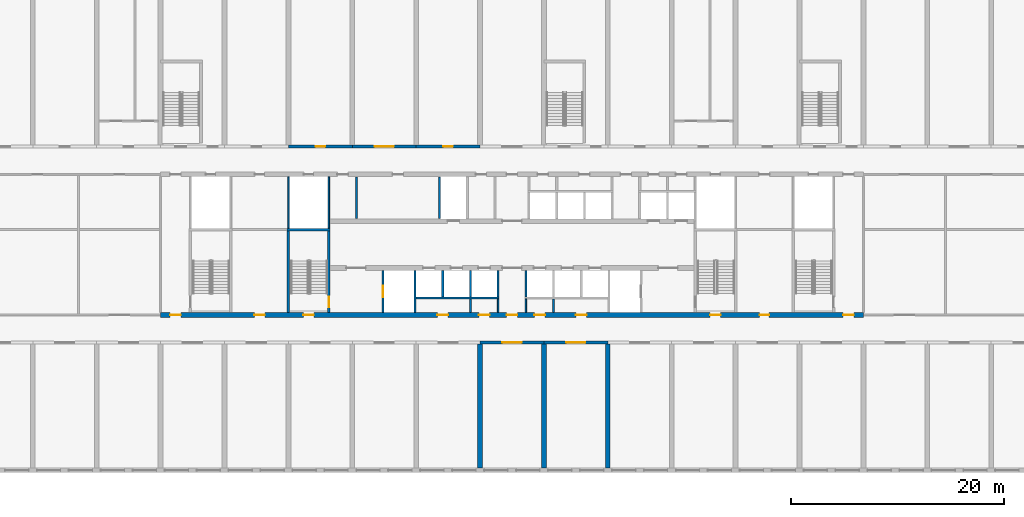
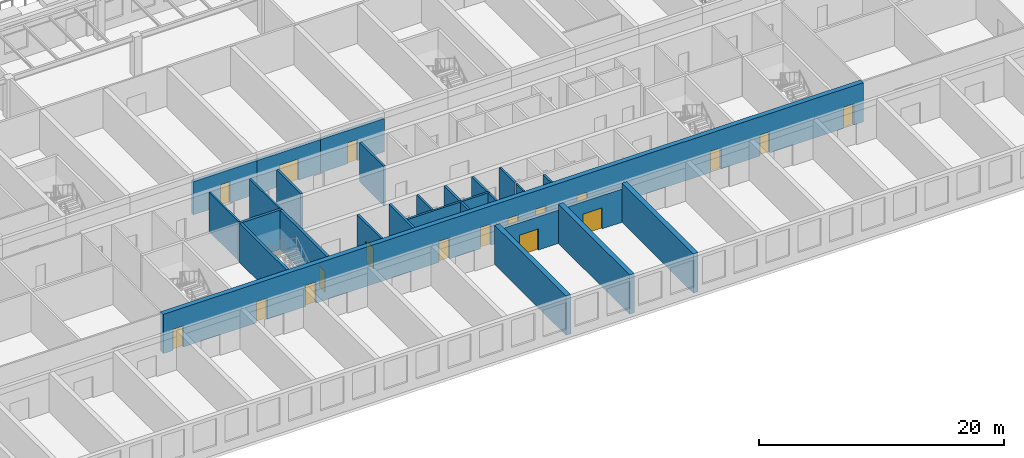
# One storey, part 5 of 16: 27 walls, 18 doors, 18 openings.
"""IFC4 building model written with IfcOpenShell, lengths in metres."""

import ifcopenshell
import ifcopenshell.guid

model = None  # the IFC model being written
_history = None  # IfcOwnerHistory: only IFC2X3 demands one
_inside = {}  # id of a spatial element -> (the spatial element, [elements in it])
_under = {}  # id of a project, library or spatial element -> (it, [spatial elements below it])
_declared = {}  # id of a project -> (the project, [libraries it declares])
_typed = {}  # id of a type object -> (the type object, [elements of that type])
_made_of = {}  # id of a material, layer set ... -> (it, [elements and type objects made of it])


def new_model(schema):
    """Start an empty IFC model of exactly this schema.

    Asked for "IFC4X3", IfcOpenShell would pick the latest addendum, in which some entities
    have other attributes; the version numbers below select the first issue.
    IFC2X3 requires an IfcOwnerHistory on every rooted entity: one is made here for all.
    """
    global model, _history
    if schema == "IFC4X3":
        model = ifcopenshell.file(schema_version=(4, 3, 0, 0))
    else:
        model = ifcopenshell.file(schema=schema)
    _inside.clear()
    _under.clear()
    _declared.clear()
    _typed.clear()
    _made_of.clear()
    _history = None
    if model.schema == "IFC2X3":
        org = make("IfcOrganization", Name="unknown")
        user = make(
            "IfcPersonAndOrganization",
            ThePerson=make("IfcPerson", FamilyName="unknown"),
            TheOrganization=org,
        )
        app = make(
            "IfcApplication",
            ApplicationDeveloper=org,
            Version="unknown",
            ApplicationFullName="unknown",
            ApplicationIdentifier="unknown",
        )
        _history = make(
            "IfcOwnerHistory",
            OwningUser=user,
            OwningApplication=app,
            ChangeAction="ADDED",
            CreationDate=0,
        )
    return model


def make(cls, **values):
    """One entity of the class cls with the attributes given. An attribute that is None is left unset."""
    return model.create_entity(
        cls, **{name: value for name, value in values.items() if value is not None}
    )


def rooted(cls, **values):
    """An entity with a GlobalId (a new one), such as an element, a storey or a relation."""
    return make(cls, GlobalId=ifcopenshell.guid.new(), OwnerHistory=_history, **values)


def si_unit(unit_type, name, prefix=None):
    """IfcSIUnit, for example si_unit("LENGTHUNIT", "METRE", prefix="MILLI")."""
    return make("IfcSIUnit", UnitType=unit_type, Prefix=prefix, Name=name)


def assignment(units):
    """IfcUnitAssignment: the units of a project."""
    return None if units is None else make("IfcUnitAssignment", Units=units)


def point(xyz):
    """IfcCartesianPoint."""
    return None if xyz is None else make("IfcCartesianPoint", Coordinates=xyz)


def direction(xyz):
    """IfcDirection."""
    return None if xyz is None else make("IfcDirection", DirectionRatios=xyz)


def frame(location, z_axis=None, x_axis=None):
    """IfcAxis2Placement3D, a coordinate frame: its origin and axes. An axis left out is left unset."""
    return make(
        "IfcAxis2Placement3D",
        Location=point(location),
        Axis=direction(z_axis),
        RefDirection=direction(x_axis),
    )


def frame_2d(location, x_axis=None):
    """IfcAxis2Placement2D, a coordinate frame in the plane: its origin and x axis."""
    return make(
        "IfcAxis2Placement2D", Location=point(location), RefDirection=direction(x_axis)
    )


def origin():
    """The frame at (0, 0, 0) with its axes left unset."""
    return frame((0.0, 0.0, 0.0))


def place(relative_to, where):
    """IfcLocalPlacement: puts the frame where relative to a parent placement (None: the world)."""
    return make(
        "IfcLocalPlacement", PlacementRelTo=relative_to, RelativePlacement=where
    )


def context(
    kind, dimensions, precision=None, world=None, true_north=None, identifier=None
):
    """IfcGeometricRepresentationContext, for example the 3D "Model" context."""
    return make(
        "IfcGeometricRepresentationContext",
        ContextIdentifier=identifier,
        ContextType=kind,
        CoordinateSpaceDimension=dimensions,
        Precision=precision,
        WorldCoordinateSystem=world,
        TrueNorth=true_north,
    )


def subcontext(parent, identifier, kind, view, scale=None):
    """IfcGeometricRepresentationSubContext, for example "Body" below "Model"."""
    return make(
        "IfcGeometricRepresentationSubContext",
        ContextIdentifier=identifier,
        ContextType=kind,
        ParentContext=parent,
        TargetScale=scale,
        TargetView=view,
    )


def project(units=None, contexts=None):
    """IfcProject with its units and contexts."""
    return rooted(
        "IfcProject",
        Name="project",
        RepresentationContexts=contexts,
        UnitsInContext=assignment(units),
    )


def spatial(cls, under=None, at=None, **own):
    """A site, building, storey or space (cls), placed at a placement, below another one or the project."""
    s = rooted(cls, ObjectPlacement=at, **own)
    if under is not None:
        _under.setdefault(under.id(), (under, []))[1].append(s)
    return s


def profile(cls, at=None, kind="AREA", **sizes):
    """A parametric profile (cls). Its sizes go by their IFC names, for example OverallWidth=200.0."""
    return make(cls, ProfileType=kind, Position=at, **sizes)


def rectangle(**sizes):
    """IfcRectangleProfileDef."""
    return profile("IfcRectangleProfileDef", **sizes)


def extrude(swept, where, along, depth):
    """IfcExtrudedAreaSolid: the profile swept, set in the frame where, extruded along a direction by depth."""
    return make(
        "IfcExtrudedAreaSolid",
        SweptArea=swept,
        Position=where,
        ExtrudedDirection=direction(along),
        Depth=depth,
    )


def shape(context_of_items, identifier, shape_type, items):
    """IfcShapeRepresentation: the items that make up one representation, for example the "Body"."""
    return make(
        "IfcShapeRepresentation",
        ContextOfItems=context_of_items,
        RepresentationIdentifier=identifier,
        RepresentationType=shape_type,
        Items=items,
    )


def material(Name=None, Category=None):
    """IfcMaterial."""
    return make("IfcMaterial", Name=Name, Category=Category)


def layer(
    of_material, thickness, ventilated=None, Name=None, Category=None, Priority=None
):
    """IfcMaterialLayer: one layer of a wall or slab, of a material (None: an air gap)."""
    return make(
        "IfcMaterialLayer",
        Material=of_material,
        LayerThickness=thickness,
        IsVentilated=ventilated,
        Name=Name,
        Category=Category,
        Priority=Priority,
    )


def layer_set(layers, Name=None):
    """IfcMaterialLayerSet."""
    return make("IfcMaterialLayerSet", MaterialLayers=layers, LayerSetName=Name)


def made_of(thing, what):
    """Note that an element or type object is made of a material, layer set ...; save() writes the relation."""
    if what is not None:
        _made_of.setdefault(what.id(), (what, []))[1].append(thing)
    return thing


def type_object(cls, material=None, **own):
    """A type object (cls), such as IfcWallType, which elements share."""
    return made_of(rooted(cls, **own), material)


def element(
    cls,
    number,
    at=None,
    inside=None,
    cuts=None,
    type_object=None,
    material=None,
    context=None,
    identifier="Body",
    shape_type=None,
    held_by="IfcProductDefinitionShape",
    body=None,
    shapes=None,
    **own,
):
    """One element of the class cls, such as IfcWall. Its Tag is "e" and its number.

    at: its placement. inside: the storey or other place that contains it. cuts: it is an
    opening in that element (IfcRelVoidsElement). A single representation is given by context,
    identifier, shape_type and body (its items); several are given by shapes. held_by: the class
    of the entity that holds the representations. save() writes the other relations.
    """
    e = rooted(cls, Tag="e%d" % number, ObjectPlacement=at, **own)
    if body is not None:
        shapes = [shape(context, identifier, shape_type, body)]
    if shapes is not None:
        e.Representation = make(held_by, Representations=shapes)
    if inside is not None:
        _inside.setdefault(inside.id(), (inside, []))[1].append(e)
    if cuts is not None:
        rooted(
            "IfcRelVoidsElement", RelatingBuildingElement=cuts, RelatedOpeningElement=e
        )
    if type_object is not None:
        _typed.setdefault(type_object.id(), (type_object, []))[1].append(e)
    return made_of(e, material)


def fill(opening, filler):
    """IfcRelFillsElement: the door or window that sits in an opening."""
    return rooted(
        "IfcRelFillsElement",
        RelatingOpeningElement=opening,
        RelatedBuildingElement=filler,
    )


def aggregate(whole, parts):
    """IfcRelAggregates: a whole, such as a stair, and the parts it consists of."""
    return rooted("IfcRelAggregates", RelatingObject=whole, RelatedObjects=parts)


def save(model, path):
    """Write the relations noted so far, then the file.

    IfcRelAggregates (storeys below a building ...), IfcRelContainedInSpatialStructure (elements
    in a storey), IfcRelDefinesByType, IfcRelAssociatesMaterial and IfcRelDeclares: one each for
    every whole, place, type object, material and project.
    """
    for whole, parts in _under.values():
        aggregate(whole, parts)
    for where, things in _inside.values():
        rooted(
            "IfcRelContainedInSpatialStructure",
            RelatedElements=things,
            RelatingStructure=where,
        )
    for kind, things in _typed.values():
        rooted("IfcRelDefinesByType", RelatedObjects=things, RelatingType=kind)
    for what, things in _made_of.values():
        rooted("IfcRelAssociatesMaterial", RelatedObjects=things, RelatingMaterial=what)
    for by, libraries in _declared.values():
        rooted("IfcRelDeclares", RelatingContext=by, RelatedDefinitions=libraries)
    model.write(path)


model = new_model("IFC4")

# Units and contexts
model_context = context("Model", 3, precision=1e-05, world=origin(), true_north=direction((0.0, 1.0)))
body_context = subcontext(model_context, "Body", "Model", "MODEL_VIEW")
ifc_project = project(units=[si_unit("LENGTHUNIT", "METRE"), si_unit("AREAUNIT", "SQUARE_METRE"), si_unit("VOLUMEUNIT", "CUBIC_METRE"), si_unit("PLANEANGLEUNIT", "RADIAN"), si_unit("MASSUNIT", "GRAM", prefix="KILO")], contexts=[model_context])

# Site, building, storey
site_placement = place(None, origin())
site = spatial("IfcSite", under=ifc_project, at=site_placement, CompositionType="ELEMENT")
building_placement = place(site_placement, origin())
building = spatial("IfcBuilding", under=site, at=building_placement, Name="Poui Terraces", CompositionType="ELEMENT")
storey_placement = place(building_placement, frame((0.0, 0.0, 15.0)))
storey = spatial("IfcBuildingStorey", under=building, at=storey_placement, Name="L03", CompositionType="ELEMENT", Elevation=15.0)

# Walls
ifc_material_1 = material(Name="Fire-rated plasterboard wall")
ifc_layer_1 = layer(ifc_material_1, 0.14990234375)
ifc_layer_set_1 = layer_set([ifc_layer_1], Name="Fire-rated plasterboard wall")
wall_type_1 = type_object("IfcWallType", Name="CORRIDOR WALL 150", PredefinedType="PARTITIONING", material=ifc_layer_set_1)
for number, where, z_axis, x_axis, name in (
    (1, (49.699951171875, 14.8349609375, 0.0), (0.0, 0.0, 1.0), (0.0, 1.0, 0.0), "CORRIDOR WALL 150"),
    (2, (52.300048828125, 14.8349609375, 0.0), (0.0, 0.0, 1.0), (0.0, 1.0, 0.0), "CORRIDOR WALL 150"),
):
    element("IfcWall", number, at=place(storey_placement, frame(where, z_axis=z_axis, x_axis=x_axis)), inside=storey, type_object=wall_type_1, Name=name, PredefinedType="PARTITIONING", context=body_context, shape_type="SweptSolid", body=[
        extrude(rectangle(XDim=1.26513671875, YDim=0.14990234375, at=frame_2d((0.632568359375, 0.0))), origin(), (0.0, 0.0, 1.0), 3.919921875),
    ])

# Wall, opening, door
ifc_material_2 = material(Name="Concrete 80 MPa", Category="concrete")
ifc_layer_2 = layer(ifc_material_2, 0.300048828125)
ifc_layer_set_2 = layer_set([ifc_layer_2], Name="Concrete 80 MPa")
wall_type_2 = type_object("IfcWallType", Name="CORRIDOR WALL 300 80MPa", PredefinedType="SHEAR", material=ifc_layer_set_2)
wall_1_placement = place(storey_placement, frame((48.0, 12.0, 0.0), z_axis=(0.0, 0.0, 1.0), x_axis=(1.0, 0.0, 0.0)))
wall_1 = element("IfcWall", 3, at=wall_1_placement, inside=storey, type_object=wall_type_2, Name="CORRIDOR WALL LINE B BAY 9", PredefinedType="SHEAR", context=body_context, shape_type="SweptSolid", body=[
    extrude(rectangle(XDim=6.0, YDim=0.300048828125, at=frame_2d((3.0, 0.0))), origin(), (0.0, 0.0, 1.0), 3.320068359375),
])
opening_1_placement = place(wall_1_placement, frame((2.10009765625, 0.0, 0.0)))
opening_1 = element("IfcOpeningElement", 4, at=opening_1_placement, cuts=wall_1, Name="Opening DD180", PredefinedType="OPENING", context=body_context, shape_type="SweptSolid", body=[
    extrude(rectangle(XDim=1.800048828125, YDim=2.10009765625, at=frame_2d((0.89990234375, 1.050048828125))), frame((0.0, 0.16015625, 0.0), z_axis=(0.0, -1.0, 0.0), x_axis=(1.0, 0.0, 0.0)), (0.0, 0.0, 1.0), 0.320068359375),
])
ifc_material_3 = material(Name="Steel fire door", Category="steel")
door_type_1 = type_object("IfcDoorType", Name="DOUBLE INTERNAL DOOR 1800 X 2100", OperationType="DOUBLE_DOOR_SINGLE_SWING", PredefinedType="DOOR", material=ifc_material_3)
door_1_placement = place(opening_1_placement, origin())
door_1 = element("IfcDoor", 5, at=door_1_placement, inside=storey, type_object=door_type_1, Name="DOUBLE INTERNAL DOOR 057", OperationType="DOUBLE_DOOR_SINGLE_SWING", OverallHeight=2.10009765625, OverallWidth=1.800048828125, PredefinedType="DOOR", context=body_context, shape_type="SweptSolid", body=[
    extrude(rectangle(XDim=1.800048828125, YDim=2.10009765625, at=frame_2d((0.89990234375, 1.050048828125))), frame((0.0, 0.02490234375, 0.0), z_axis=(0.0, -1.0, 0.0), x_axis=(1.0, 0.0, 0.0)), (0.0, 0.0, 1.0), 0.050048828125),
])
fill(opening_1, door_1)

wall_2_placement = place(storey_placement, frame((54.0, 12.0, 0.0), z_axis=(0.0, 0.0, 1.0), x_axis=(1.0, 0.0, 0.0)))
wall_2 = element("IfcWall", 6, at=wall_2_placement, inside=storey, type_object=wall_type_2, Name="CORRIDOR WALL LINE B BAY 10", PredefinedType="SHEAR", context=body_context, shape_type="SweptSolid", body=[
    extrude(rectangle(XDim=6.0, YDim=0.300048828125, at=frame_2d((3.0, 0.0))), origin(), (0.0, 0.0, 1.0), 3.320068359375),
])
opening_2_placement = place(wall_2_placement, frame((2.10009765625, 0.0, 0.0)))
opening_2 = element("IfcOpeningElement", 7, at=opening_2_placement, cuts=wall_2, Name="Opening DD180", PredefinedType="OPENING", context=body_context, shape_type="SweptSolid", body=[
    extrude(rectangle(XDim=1.800048828125, YDim=2.10009765625, at=frame_2d((0.89990234375, 1.050048828125))), frame((0.0, 0.16015625, 0.0), z_axis=(0.0, -1.0, 0.0), x_axis=(1.0, 0.0, 0.0)), (0.0, 0.0, 1.0), 0.320068359375),
])
door_2_placement = place(opening_2_placement, origin())
door_2 = element("IfcDoor", 8, at=door_2_placement, inside=storey, type_object=door_type_1, Name="DOUBLE INTERNAL DOOR 060", OperationType="DOUBLE_DOOR_SINGLE_SWING", OverallHeight=2.10009765625, OverallWidth=1.800048828125, PredefinedType="DOOR", context=body_context, shape_type="SweptSolid", body=[
    extrude(rectangle(XDim=1.800048828125, YDim=2.10009765625, at=frame_2d((0.89990234375, 1.050048828125))), frame((0.0, 0.02490234375, 0.0), z_axis=(0.0, -1.0, 0.0), x_axis=(1.0, 0.0, 0.0)), (0.0, 0.0, 1.0), 0.050048828125),
])
fill(opening_2, door_2)

wall_3_placement = place(storey_placement, frame((30.0, 30.39990234375, 0.0), z_axis=(0.0, 0.0, 1.0), x_axis=(1.0, 0.0, 0.0)))
wall_3 = element("IfcWall", 9, at=wall_3_placement, inside=storey, type_object=wall_type_2, Name="CORRIDOR WALL LINE E BAY 6", PredefinedType="SHEAR", context=body_context, shape_type="SweptSolid", body=[
    extrude(rectangle(XDim=6.0, YDim=0.300048828125, at=frame_2d((3.0, 0.0))), origin(), (0.0, 0.0, 1.0), 3.320068359375),
])
opening_3_placement = place(wall_3_placement, frame((2.550048828125, 0.0, 0.0)))
opening_3 = element("IfcOpeningElement", 10, at=opening_3_placement, cuts=wall_3, Name="Opening D90", PredefinedType="OPENING", context=body_context, shape_type="SweptSolid", body=[
    extrude(rectangle(XDim=0.89990234375, YDim=2.10009765625, at=frame_2d((0.449951171875, 1.050048828125))), frame((0.0, 0.16015625, 0.0), z_axis=(0.0, -1.0, 0.0), x_axis=(1.0, 0.0, 0.0)), (0.0, 0.0, 1.0), 0.320068359375),
])
ifc_material_4 = material(Name="Solid core timber door", Category="wood")
door_type_2 = type_object("IfcDoorType", Name="INTERNAL DOOR 900 X 2100", OperationType="NOTDEFINED", PredefinedType="DOOR", material=ifc_material_4)
door_3_placement = place(opening_3_placement, frame((0.89990234375, 0.0, 0.0), z_axis=(0.0, 0.0, 1.0), x_axis=(-1.0, 0.0, 0.0)))
door_3 = element("IfcDoor", 11, at=door_3_placement, inside=storey, type_object=door_type_2, Name="INTERNAL DOOR 014", OperationType="SINGLE_SWING_RIGHT", OverallHeight=2.10009765625, OverallWidth=0.89990234375, PredefinedType="DOOR", context=body_context, shape_type="SweptSolid", body=[
    extrude(rectangle(XDim=0.89990234375, YDim=2.10009765625, at=frame_2d((0.449951171875, 1.050048828125))), frame((0.0, 0.02490234375, 0.0), z_axis=(0.0, -1.0, 0.0), x_axis=(1.0, 0.0, 0.0)), (0.0, 0.0, 1.0), 0.050048828125),
])
fill(opening_3, door_3)

wall_4_placement = place(storey_placement, frame((36.0, 30.39990234375, 0.0), z_axis=(0.0, 0.0, 1.0), x_axis=(1.0, 0.0, 0.0)))
wall_4 = element("IfcWall", 12, at=wall_4_placement, inside=storey, type_object=wall_type_2, Name="CORRIDOR WALL LINE E BAY 7", PredefinedType="SHEAR", context=body_context, shape_type="SweptSolid", body=[
    extrude(rectangle(XDim=6.0, YDim=0.300048828125, at=frame_2d((3.0, 0.0))), origin(), (0.0, 0.0, 1.0), 3.320068359375),
])
opening_4_placement = place(wall_4_placement, frame((2.10009765625, 0.0, 0.0)))
opening_4 = element("IfcOpeningElement", 13, at=opening_4_placement, cuts=wall_4, Name="Opening DD180", PredefinedType="OPENING", context=body_context, shape_type="SweptSolid", body=[
    extrude(rectangle(XDim=1.800048828125, YDim=2.10009765625, at=frame_2d((0.89990234375, 1.050048828125))), frame((0.0, 0.16015625, 0.0), z_axis=(0.0, -1.0, 0.0), x_axis=(1.0, 0.0, 0.0)), (0.0, 0.0, 1.0), 0.320068359375),
])
door_4_placement = place(opening_4_placement, frame((1.800048828125, 0.0, 0.0), z_axis=(0.0, 0.0, 1.0), x_axis=(-1.0, 0.0, 0.0)))
door_4 = element("IfcDoor", 14, at=door_4_placement, inside=storey, type_object=door_type_1, Name="DOUBLE INTERNAL DOOR 016", OperationType="DOUBLE_DOOR_SINGLE_SWING", OverallHeight=2.10009765625, OverallWidth=1.800048828125, PredefinedType="DOOR", context=body_context, shape_type="SweptSolid", body=[
    extrude(rectangle(XDim=1.800048828125, YDim=2.10009765625, at=frame_2d((0.89990234375, 1.050048828125))), frame((0.0, 0.02490234375, 0.0), z_axis=(0.0, -1.0, 0.0), x_axis=(1.0, 0.0, 0.0)), (0.0, 0.0, 1.0), 0.050048828125),
])
fill(opening_4, door_4)

wall_5_placement = place(storey_placement, frame((42.0, 30.39990234375, 0.0), z_axis=(0.0, 0.0, 1.0), x_axis=(1.0, 0.0, 0.0)))
wall_5 = element("IfcWall", 15, at=wall_5_placement, inside=storey, type_object=wall_type_2, Name="CORRIDOR WALL LINE E BAY 8", PredefinedType="SHEAR", context=body_context, shape_type="SweptSolid", body=[
    extrude(rectangle(XDim=6.0, YDim=0.300048828125, at=frame_2d((3.0, 0.0))), origin(), (0.0, 0.0, 1.0), 3.320068359375),
])
opening_5_placement = place(wall_5_placement, frame((2.550048828125, 0.0, 0.0)))
opening_5 = element("IfcOpeningElement", 16, at=opening_5_placement, cuts=wall_5, Name="Opening D90", PredefinedType="OPENING", context=body_context, shape_type="SweptSolid", body=[
    extrude(rectangle(XDim=0.89990234375, YDim=2.10009765625, at=frame_2d((0.449951171875, 1.050048828125))), frame((0.0, 0.16015625, 0.0), z_axis=(0.0, -1.0, 0.0), x_axis=(1.0, 0.0, 0.0)), (0.0, 0.0, 1.0), 0.320068359375),
])
door_5_placement = place(opening_5_placement, frame((0.89990234375, 0.0, 0.0), z_axis=(0.0, 0.0, 1.0), x_axis=(-1.0, 0.0, 0.0)))
door_5 = element("IfcDoor", 17, at=door_5_placement, inside=storey, type_object=door_type_2, Name="INTERNAL DOOR 018", OperationType="SINGLE_SWING_RIGHT", OverallHeight=2.10009765625, OverallWidth=0.89990234375, PredefinedType="DOOR", context=body_context, shape_type="SweptSolid", body=[
    extrude(rectangle(XDim=0.89990234375, YDim=2.10009765625, at=frame_2d((0.449951171875, 1.050048828125))), frame((0.0, 0.02490234375, 0.0), z_axis=(0.0, -1.0, 0.0), x_axis=(1.0, 0.0, 0.0)), (0.0, 0.0, 1.0), 0.050048828125),
])
fill(opening_5, door_5)

# Walls
ifc_layer_3 = layer(ifc_material_2, 0.449951171875)
ifc_layer_set_3 = layer_set([ifc_layer_3], Name="Concrete 80 MPa")
wall_type_3 = type_object("IfcWallType", Name="CROSS WALL 450 80MPa", PredefinedType="SHEAR", material=ifc_layer_set_3)
for number, where, z_axis, x_axis, name in (
    (18, (48.0, 0.199951171875, 0.0), (0.0, 0.0, 1.0), (0.0, 1.0, 0.0), "CROSS WALL LINE 9 SOUTH"),
    (19, (54.0, 0.199951171875, 0.0), (0.0, 0.0, 1.0), (0.0, 1.0, 0.0), "CROSS WALL LINE 10 SOUTH"),
    (20, (60.0, 0.199951171875, 0.0), (0.0, 0.0, 1.0), (0.0, 1.0, 0.0), "CROSS WALL LINE 11 SOUTH"),
):
    element("IfcWall", number, at=place(storey_placement, frame(where, z_axis=z_axis, x_axis=x_axis)), inside=storey, type_object=wall_type_3, Name=name, PredefinedType="SHEAR", context=body_context, shape_type="SweptSolid", body=[
        extrude(rectangle(XDim=11.650146484375, YDim=0.449951171875, at=frame_2d((5.8251953125, 0.0))), origin(), (0.0, 0.0, 1.0), 3.919921875),
    ])
ifc_material_5 = material(Name="Fire-rated masonry wall", Category="masonry")
ifc_layer_4 = layer(ifc_material_5, 0.199951171875)
ifc_layer_set_4 = layer_set([ifc_layer_4], Name="Fire-rated masonry wall")
wall_type_4 = type_object("IfcWallType", Name="PLANT ROOM WALL 200", PredefinedType="PARTITIONING", material=ifc_layer_set_4)
wall_6_placement = place(storey_placement, frame((36.39990234375, 23.635009765625, 0.0), z_axis=(0.0, 0.0, 1.0), x_axis=(0.0, 1.0, 0.0)))
element("IfcWall", 21, at=wall_6_placement, inside=storey, type_object=wall_type_4, Name="PLANT ROOM WALL 200", PredefinedType="PARTITIONING", context=body_context, shape_type="SweptSolid", body=[
    extrude(rectangle(XDim=3.929931640625, YDim=0.199951171875, at=frame_2d((1.96484375, 0.0))), origin(), (0.0, 0.0, 1.0), 3.919921875),
])
for number, where, z_axis, x_axis, name in (
    (22, (47.10009765625, 14.8349609375, 0.0), (0.0, 0.0, 1.0), (0.0, 1.0, 0.0), "PLANT ROOM WALL 200"),
    (23, (54.89990234375, 14.8349609375, 0.0), (0.0, 0.0, 1.0), (0.0, 1.0, 0.0), "PLANT ROOM WALL 200"),
):
    element("IfcWall", number, at=place(storey_placement, frame(where, z_axis=z_axis, x_axis=x_axis)), inside=storey, type_object=wall_type_4, Name=name, PredefinedType="PARTITIONING", context=body_context, shape_type="SweptSolid", body=[
        extrude(rectangle(XDim=1.26513671875, YDim=0.199951171875, at=frame_2d((0.632568359375, 0.0))), origin(), (0.0, 0.0, 1.0), 3.919921875),
    ])
ifc_material_6 = material(Name="Fire-rated plasterboard riser wall")
ifc_layer_5 = layer(ifc_material_6, 0.14990234375)
ifc_layer_set_5 = layer_set([ifc_layer_5], Name="Fire-rated plasterboard riser wall")
wall_type_5 = type_object("IfcWallType", Name="RISER WALL 150", PredefinedType="PARTITIONING", material=ifc_layer_set_5)
for number, where, z_axis, x_axis, name in (
    (24, (30.0, 22.735107421875, 0.0), (0.0, 0.0, 1.0), (0.0, 1.0, 0.0), "RISER WALL 150"),
    (25, (33.800048828125, 22.735107421875, 0.0), (0.0, 0.0, 1.0), (0.0, 1.0, 0.0), "RISER WALL 150"),
):
    element("IfcWall", number, at=place(storey_placement, frame(where, z_axis=z_axis, x_axis=x_axis)), inside=storey, type_object=wall_type_5, Name=name, PredefinedType="PARTITIONING", context=body_context, shape_type="SweptSolid", body=[
        extrude(rectangle(XDim=4.829833984375, YDim=0.14990234375, at=frame_2d((2.4150390625, 0.0))), origin(), (0.0, 0.0, 1.0), 3.919921875),
    ])
ifc_material_7 = material(Name="Fire-rated masonry shaft wall", Category="masonry")
ifc_layer_6 = layer(ifc_material_7, 0.199951171875)
ifc_layer_set_6 = layer_set([ifc_layer_6], Name="Fire-rated masonry shaft wall")
wall_type_6 = type_object("IfcWallType", Name="SHAFT WALL 200", PredefinedType="PARTITIONING", material=ifc_layer_set_6)
wall_7_placement = place(storey_placement, frame((42.0, 16.199951171875, 0.0), z_axis=(0.0, 0.0, 1.0), x_axis=(1.0, 0.0, 0.0)))
element("IfcWall", 26, at=wall_7_placement, inside=storey, type_object=wall_type_6, Name="SHAFT WALL 200", PredefinedType="PARTITIONING", context=body_context, shape_type="SweptSolid", body=[
    extrude(rectangle(XDim=7.800048828125, YDim=0.199951171875, at=frame_2d((3.89990234375, 0.0))), origin(), (0.0, 0.0, 1.0), 3.919921875),
])

# Wall, opening, door
wall_8_placement = place(storey_placement, frame((38.89990234375, 14.8349609375, 0.0), z_axis=(0.0, 0.0, 1.0), x_axis=(0.0, 1.0, 0.0)))
wall_8 = element("IfcWall", 27, at=wall_8_placement, inside=storey, type_object=wall_type_6, Name="SHAFT WALL 200", PredefinedType="PARTITIONING", context=body_context, shape_type="SweptSolid", body=[
    extrude(rectangle(XDim=3.929931640625, YDim=0.199951171875, at=frame_2d((1.96484375, 0.0))), origin(), (0.0, 0.0, 1.0), 3.919921875),
])
opening_6_placement = place(wall_8_placement, frame((1.4150390625, 0.0, 0.0)))
opening_6 = element("IfcOpeningElement", 28, at=opening_6_placement, cuts=wall_8, Name="Opening LD", PredefinedType="OPENING", context=body_context, shape_type="SweptSolid", body=[
    extrude(rectangle(XDim=1.10009765625, YDim=2.10009765625, at=frame_2d((0.550048828125, 1.050048828125))), frame((0.0, 0.10986328125, 0.0), z_axis=(0.0, -1.0, 0.0), x_axis=(1.0, 0.0, 0.0)), (0.0, 0.0, 1.0), 0.219970703125),
])
ifc_material_8 = material(Name="Stainless steel sliding door", Category="steel")
door_type_3 = type_object("IfcDoorType", Name="LIFT LANDING DOOR 1100 X 2100", OperationType="DOUBLE_DOOR_SLIDING", PredefinedType="DOOR", material=ifc_material_8)
door_6_placement = place(opening_6_placement, origin())
door_6 = element("IfcDoor", 29, at=door_6_placement, inside=storey, type_object=door_type_3, Name="LANDING DOOR", OperationType="DOUBLE_DOOR_SLIDING", OverallHeight=2.10009765625, OverallWidth=1.10009765625, PredefinedType="DOOR", context=body_context, shape_type="SweptSolid", body=[
    extrude(rectangle(XDim=1.10009765625, YDim=2.10009765625, at=frame_2d((0.550048828125, 1.050048828125))), frame((0.0, 0.02490234375, 0.0), z_axis=(0.0, -1.0, 0.0), x_axis=(1.0, 0.0, 0.0)), (0.0, 0.0, 1.0), 0.050048828125),
])
fill(opening_6, door_6)

# Walls
for number, where, z_axis, x_axis, name in (
    (30, (41.89990234375, 14.8349609375, 0.0), (0.0, 0.0, 1.0), (0.0, 1.0, 0.0), "SHAFT WALL 200"),
    (31, (44.199951171875, 23.635009765625, 0.0), (0.0, 0.0, 1.0), (0.0, 1.0, 0.0), "SHAFT WALL 200"),
):
    element("IfcWall", number, at=place(storey_placement, frame(where, z_axis=z_axis, x_axis=x_axis)), inside=storey, type_object=wall_type_6, Name=name, PredefinedType="PARTITIONING", context=body_context, shape_type="SweptSolid", body=[
        extrude(rectangle(XDim=3.929931640625, YDim=0.199951171875, at=frame_2d((1.96484375, 0.0))), origin(), (0.0, 0.0, 1.0), 3.919921875),
    ])
for number, where, z_axis, x_axis, name in (
    (32, (44.5, 16.300048828125, 0.0), (0.0, 0.0, 1.0), (0.0, 1.0, 0.0), "SHAFT WALL 200"),
    (33, (47.10009765625, 16.300048828125, 0.0), (0.0, 0.0, 1.0), (0.0, 1.0, 0.0), "SHAFT WALL 200"),
    (34, (49.699951171875, 16.300048828125, 0.0), (0.0, 0.0, 1.0), (0.0, 1.0, 0.0), "SHAFT WALL 200"),
    (35, (52.300048828125, 16.300048828125, 0.0), (0.0, 0.0, 1.0), (0.0, 1.0, 0.0), "SHAFT WALL 200"),
):
    element("IfcWall", number, at=place(storey_placement, frame(where, z_axis=z_axis, x_axis=x_axis)), inside=storey, type_object=wall_type_6, Name=name, PredefinedType="PARTITIONING", context=body_context, shape_type="SweptSolid", body=[
        extrude(rectangle(XDim=2.46484375, YDim=0.199951171875, at=frame_2d((1.232421875, 0.0))), origin(), (0.0, 0.0, 1.0), 3.919921875),
    ])

# Wall, openings, doors
ifc_layer_7 = layer(ifc_material_2, 0.449951171875)
ifc_layer_set_7 = layer_set([ifc_layer_7], Name="Concrete 80 MPa")
wall_type_7 = type_object("IfcWallType", Name="SPINE WALL 450 80 MPA", PredefinedType="SOLIDWALL", material=ifc_layer_set_7)
wall_9_placement = place(storey_placement, frame((18.0, 14.60009765625, 0.0), z_axis=(0.0, 0.0, 1.0), x_axis=(1.0, 0.0, 0.0)))
wall_9 = element("IfcWall", 36, at=wall_9_placement, inside=storey, type_object=wall_type_7, Name="SPINE WALL", PredefinedType="SOLIDWALL", context=body_context, shape_type="SweptSolid", body=[
    extrude(rectangle(XDim=66.0, YDim=0.449951171875, at=frame_2d((33.0, 0.0))), origin(), (0.0, 0.0, 1.0), 3.919921875),
])
opening_7_placement = place(wall_9_placement, frame((0.89990234375, 0.0, 0.0)))
opening_7 = element("IfcOpeningElement", 37, at=opening_7_placement, cuts=wall_9, Name="Opening FDL", PredefinedType="OPENING", context=body_context, shape_type="SweptSolid", body=[
    extrude(rectangle(XDim=1.0, YDim=2.10009765625, at=frame_2d((0.5, 1.050048828125))), frame((0.0, 0.23486328125, 0.0), z_axis=(0.0, -1.0, 0.0), x_axis=(1.0, 0.0, 0.0)), (0.0, 0.0, 1.0), 0.469970703125),
])
opening_8_placement = place(wall_9_placement, frame((8.800048828125, 0.0, 0.0)))
opening_8 = element("IfcOpeningElement", 38, at=opening_8_placement, cuts=wall_9, Name="Opening D100", PredefinedType="OPENING", context=body_context, shape_type="SweptSolid", body=[
    extrude(rectangle(XDim=1.0, YDim=2.10009765625, at=frame_2d((0.5, 1.050048828125))), frame((0.0, 0.23486328125, 0.0), z_axis=(0.0, -1.0, 0.0), x_axis=(1.0, 0.0, 0.0)), (0.0, 0.0, 1.0), 0.469970703125),
])
opening_9_placement = place(wall_9_placement, frame((13.39990234375, 0.0, 0.0)))
opening_9 = element("IfcOpeningElement", 39, at=opening_9_placement, cuts=wall_9, Name="Opening FD60S", PredefinedType="OPENING", context=body_context, shape_type="SweptSolid", body=[
    extrude(rectangle(XDim=1.0, YDim=2.10009765625, at=frame_2d((0.5, 1.050048828125))), frame((0.0, 0.23486328125, 0.0), z_axis=(0.0, -1.0, 0.0), x_axis=(1.0, 0.0, 0.0)), (0.0, 0.0, 1.0), 0.469970703125),
])
opening_10_placement = place(wall_9_placement, frame((26.0, 0.0, 0.0)))
opening_10 = element("IfcOpeningElement", 40, at=opening_10_placement, cuts=wall_9, Name="Opening FD60", PredefinedType="OPENING", context=body_context, shape_type="SweptSolid", body=[
    extrude(rectangle(XDim=1.0, YDim=2.10009765625, at=frame_2d((0.5, 1.050048828125))), frame((0.0, 0.23486328125, 0.0), z_axis=(0.0, -1.0, 0.0), x_axis=(1.0, 0.0, 0.0)), (0.0, 0.0, 1.0), 0.469970703125),
])
opening_11_placement = place(wall_9_placement, frame((29.89990234375, 0.0, 0.0)))
opening_11 = element("IfcOpeningElement", 41, at=opening_11_placement, cuts=wall_9, Name="Opening FD60", PredefinedType="OPENING", context=body_context, shape_type="SweptSolid", body=[
    extrude(rectangle(XDim=1.0, YDim=2.10009765625, at=frame_2d((0.5, 1.050048828125))), frame((0.0, 0.23486328125, 0.0), z_axis=(0.0, -1.0, 0.0), x_axis=(1.0, 0.0, 0.0)), (0.0, 0.0, 1.0), 0.469970703125),
])
opening_12_placement = place(wall_9_placement, frame((32.5, 0.0, 0.0)))
opening_12 = element("IfcOpeningElement", 42, at=opening_12_placement, cuts=wall_9, Name="Opening FDL", PredefinedType="OPENING", context=body_context, shape_type="SweptSolid", body=[
    extrude(rectangle(XDim=1.0, YDim=2.10009765625, at=frame_2d((0.5, 1.050048828125))), frame((0.0, 0.23486328125, 0.0), z_axis=(0.0, -1.0, 0.0), x_axis=(1.0, 0.0, 0.0)), (0.0, 0.0, 1.0), 0.469970703125),
])
opening_13_placement = place(wall_9_placement, frame((35.10009765625, 0.0, 0.0)))
opening_13 = element("IfcOpeningElement", 43, at=opening_13_placement, cuts=wall_9, Name="Opening FD60", PredefinedType="OPENING", context=body_context, shape_type="SweptSolid", body=[
    extrude(rectangle(XDim=1.0, YDim=2.10009765625, at=frame_2d((0.5, 1.050048828125))), frame((0.0, 0.23486328125, 0.0), z_axis=(0.0, -1.0, 0.0), x_axis=(1.0, 0.0, 0.0)), (0.0, 0.0, 1.0), 0.469970703125),
])
opening_14_placement = place(wall_9_placement, frame((39.0, 0.0, 0.0)))
opening_14 = element("IfcOpeningElement", 44, at=opening_14_placement, cuts=wall_9, Name="Opening FD60", PredefinedType="OPENING", context=body_context, shape_type="SweptSolid", body=[
    extrude(rectangle(XDim=1.0, YDim=2.10009765625, at=frame_2d((0.5, 1.050048828125))), frame((0.0, 0.23486328125, 0.0), z_axis=(0.0, -1.0, 0.0), x_axis=(1.0, 0.0, 0.0)), (0.0, 0.0, 1.0), 0.469970703125),
])
opening_15_placement = place(wall_9_placement, frame((51.60009765625, 0.0, 0.0)))
opening_15 = element("IfcOpeningElement", 45, at=opening_15_placement, cuts=wall_9, Name="Opening FD60S", PredefinedType="OPENING", context=body_context, shape_type="SweptSolid", body=[
    extrude(rectangle(XDim=1.0, YDim=2.10009765625, at=frame_2d((0.5, 1.050048828125))), frame((0.0, 0.23486328125, 0.0), z_axis=(0.0, -1.0, 0.0), x_axis=(1.0, 0.0, 0.0)), (0.0, 0.0, 1.0), 0.469970703125),
])
opening_16_placement = place(wall_9_placement, frame((56.25, 0.0, 0.0)))
opening_16 = element("IfcOpeningElement", 46, at=opening_16_placement, cuts=wall_9, Name="Opening D90", PredefinedType="OPENING", context=body_context, shape_type="SweptSolid", body=[
    extrude(rectangle(XDim=0.89990234375, YDim=2.10009765625, at=frame_2d((0.449951171875, 1.050048828125))), frame((0.0, 0.23486328125, 0.0), z_axis=(0.0, -1.0, 0.0), x_axis=(1.0, 0.0, 0.0)), (0.0, 0.0, 1.0), 0.469970703125),
])
opening_17_placement = place(wall_9_placement, frame((64.10009765625, 0.0, 0.0)))
opening_17 = element("IfcOpeningElement", 47, at=opening_17_placement, cuts=wall_9, Name="Opening FDL", PredefinedType="OPENING", context=body_context, shape_type="SweptSolid", body=[
    extrude(rectangle(XDim=1.0, YDim=2.10009765625, at=frame_2d((0.5, 1.050048828125))), frame((0.0, 0.23486328125, 0.0), z_axis=(0.0, -1.0, 0.0), x_axis=(1.0, 0.0, 0.0)), (0.0, 0.0, 1.0), 0.469970703125),
])
door_type_4 = type_object("IfcDoorType", Name="ACCESSIBLE INTERNAL DOOR 1000 X 2100", OperationType="NOTDEFINED", PredefinedType="DOOR", material=ifc_material_4)
door_7_placement = place(opening_8_placement, frame((1.0, 0.0, 0.0), z_axis=(0.0, 0.0, 1.0), x_axis=(-1.0, 0.0, 0.0)))
door_7 = element("IfcDoor", 48, at=door_7_placement, inside=storey, type_object=door_type_4, Name="ACCESSIBLE INTERNAL DOOR 050", OperationType="SINGLE_SWING_LEFT", OverallHeight=2.10009765625, OverallWidth=1.0, PredefinedType="DOOR", context=body_context, shape_type="SweptSolid", body=[
    extrude(rectangle(XDim=1.0, YDim=2.10009765625, at=frame_2d((0.5, 1.050048828125))), frame((0.0, 0.02490234375, 0.0), z_axis=(0.0, -1.0, 0.0), x_axis=(1.0, 0.0, 0.0)), (0.0, 0.0, 1.0), 0.050048828125),
])
fill(opening_8, door_7)
door_8_placement = place(opening_16_placement, frame((0.89990234375, 0.0, 0.0), z_axis=(0.0, 0.0, 1.0), x_axis=(-1.0, 0.0, 0.0)))
door_8 = element("IfcDoor", 49, at=door_8_placement, inside=storey, type_object=door_type_2, Name="INTERNAL DOOR 065", OperationType="SINGLE_SWING_LEFT", OverallHeight=2.10009765625, OverallWidth=0.89990234375, PredefinedType="DOOR", context=body_context, shape_type="SweptSolid", body=[
    extrude(rectangle(XDim=0.89990234375, YDim=2.10009765625, at=frame_2d((0.449951171875, 1.050048828125))), frame((0.0, 0.02490234375, 0.0), z_axis=(0.0, -1.0, 0.0), x_axis=(1.0, 0.0, 0.0)), (0.0, 0.0, 1.0), 0.050048828125),
])
fill(opening_16, door_8)
door_type_5 = type_object("IfcDoorType", Name="LOBBY FIRE DOOR 1000 X 2100", OperationType="NOTDEFINED", PredefinedType="DOOR", material=ifc_material_3)
door_9_placement = place(opening_7_placement, frame((1.0, 0.0, 0.0), z_axis=(0.0, 0.0, 1.0), x_axis=(-1.0, 0.0, 0.0)))
door_9 = element("IfcDoor", 50, at=door_9_placement, inside=storey, type_object=door_type_5, Name="LOBBY FIRE DOOR 047", OperationType="SINGLE_SWING_RIGHT", OverallHeight=2.10009765625, OverallWidth=1.0, PredefinedType="DOOR", context=body_context, shape_type="SweptSolid", body=[
    extrude(rectangle(XDim=1.0, YDim=2.10009765625, at=frame_2d((0.5, 1.050048828125))), frame((0.0, 0.02490234375, 0.0), z_axis=(0.0, -1.0, 0.0), x_axis=(1.0, 0.0, 0.0)), (0.0, 0.0, 1.0), 0.050048828125),
])
fill(opening_7, door_9)
door_10_placement = place(opening_12_placement, frame((1.0, 0.0, 0.0), z_axis=(0.0, 0.0, 1.0), x_axis=(-1.0, 0.0, 0.0)))
door_10 = element("IfcDoor", 51, at=door_10_placement, inside=storey, type_object=door_type_5, Name="LOBBY FIRE DOOR 058", OperationType="SINGLE_SWING_LEFT", OverallHeight=2.10009765625, OverallWidth=1.0, PredefinedType="DOOR", context=body_context, shape_type="SweptSolid", body=[
    extrude(rectangle(XDim=1.0, YDim=2.10009765625, at=frame_2d((0.5, 1.050048828125))), frame((0.0, 0.02490234375, 0.0), z_axis=(0.0, -1.0, 0.0), x_axis=(1.0, 0.0, 0.0)), (0.0, 0.0, 1.0), 0.050048828125),
])
fill(opening_12, door_10)
door_11_placement = place(opening_17_placement, frame((1.0, 0.0, 0.0), z_axis=(0.0, 0.0, 1.0), x_axis=(-1.0, 0.0, 0.0)))
door_11 = element("IfcDoor", 52, at=door_11_placement, inside=storey, type_object=door_type_5, Name="LOBBY FIRE DOOR 068", OperationType="SINGLE_SWING_LEFT", OverallHeight=2.10009765625, OverallWidth=1.0, PredefinedType="DOOR", context=body_context, shape_type="SweptSolid", body=[
    extrude(rectangle(XDim=1.0, YDim=2.10009765625, at=frame_2d((0.5, 1.050048828125))), frame((0.0, 0.02490234375, 0.0), z_axis=(0.0, -1.0, 0.0), x_axis=(1.0, 0.0, 0.0)), (0.0, 0.0, 1.0), 0.050048828125),
])
fill(opening_17, door_11)
door_type_6 = type_object("IfcDoorType", Name="SERVICE ROOM FIRE DOOR 1000 X 2100", OperationType="NOTDEFINED", PredefinedType="DOOR", material=ifc_material_3)
door_12_placement = place(opening_10_placement, frame((1.0, 0.0, 0.0), z_axis=(0.0, 0.0, 1.0), x_axis=(-1.0, 0.0, 0.0)))
door_12 = element("IfcDoor", 53, at=door_12_placement, inside=storey, type_object=door_type_6, Name="SERVICE ROOM FIRE DOOR 054", OperationType="SINGLE_SWING_LEFT", OverallHeight=2.10009765625, OverallWidth=1.0, PredefinedType="DOOR", context=body_context, shape_type="SweptSolid", body=[
    extrude(rectangle(XDim=1.0, YDim=2.10009765625, at=frame_2d((0.5, 1.050048828125))), frame((0.0, 0.02490234375, 0.0), z_axis=(0.0, -1.0, 0.0), x_axis=(1.0, 0.0, 0.0)), (0.0, 0.0, 1.0), 0.050048828125),
])
fill(opening_10, door_12)
door_13_placement = place(opening_11_placement, frame((1.0, 0.0, 0.0), z_axis=(0.0, 0.0, 1.0), x_axis=(-1.0, 0.0, 0.0)))
door_13 = element("IfcDoor", 54, at=door_13_placement, inside=storey, type_object=door_type_6, Name="SERVICE ROOM FIRE DOOR 056", OperationType="SINGLE_SWING_RIGHT", OverallHeight=2.10009765625, OverallWidth=1.0, PredefinedType="DOOR", context=body_context, shape_type="SweptSolid", body=[
    extrude(rectangle(XDim=1.0, YDim=2.10009765625, at=frame_2d((0.5, 1.050048828125))), frame((0.0, 0.02490234375, 0.0), z_axis=(0.0, -1.0, 0.0), x_axis=(1.0, 0.0, 0.0)), (0.0, 0.0, 1.0), 0.050048828125),
])
fill(opening_11, door_13)
door_14_placement = place(opening_13_placement, frame((1.0, 0.0, 0.0), z_axis=(0.0, 0.0, 1.0), x_axis=(-1.0, 0.0, 0.0)))
door_14 = element("IfcDoor", 55, at=door_14_placement, inside=storey, type_object=door_type_6, Name="SERVICE ROOM FIRE DOOR 059", OperationType="SINGLE_SWING_LEFT", OverallHeight=2.10009765625, OverallWidth=1.0, PredefinedType="DOOR", context=body_context, shape_type="SweptSolid", body=[
    extrude(rectangle(XDim=1.0, YDim=2.10009765625, at=frame_2d((0.5, 1.050048828125))), frame((0.0, 0.02490234375, 0.0), z_axis=(0.0, -1.0, 0.0), x_axis=(1.0, 0.0, 0.0)), (0.0, 0.0, 1.0), 0.050048828125),
])
fill(opening_13, door_14)
door_15_placement = place(opening_14_placement, frame((1.0, 0.0, 0.0), z_axis=(0.0, 0.0, 1.0), x_axis=(-1.0, 0.0, 0.0)))
door_15 = element("IfcDoor", 56, at=door_15_placement, inside=storey, type_object=door_type_6, Name="SERVICE ROOM FIRE DOOR 061", OperationType="SINGLE_SWING_RIGHT", OverallHeight=2.10009765625, OverallWidth=1.0, PredefinedType="DOOR", context=body_context, shape_type="SweptSolid", body=[
    extrude(rectangle(XDim=1.0, YDim=2.10009765625, at=frame_2d((0.5, 1.050048828125))), frame((0.0, 0.02490234375, 0.0), z_axis=(0.0, -1.0, 0.0), x_axis=(1.0, 0.0, 0.0)), (0.0, 0.0, 1.0), 0.050048828125),
])
fill(opening_14, door_15)
door_type_7 = type_object("IfcDoorType", Name="STAIR DOOR 1000 X 2100", OperationType="NOTDEFINED", PredefinedType="DOOR", material=ifc_material_3)
door_16_placement = place(opening_9_placement, origin())
door_16 = element("IfcDoor", 57, at=door_16_placement, inside=storey, type_object=door_type_7, Name="STAIR DOOR 051", OperationType="SINGLE_SWING_RIGHT", OverallHeight=2.10009765625, OverallWidth=1.0, PredefinedType="DOOR", context=body_context, shape_type="SweptSolid", body=[
    extrude(rectangle(XDim=1.0, YDim=2.10009765625, at=frame_2d((0.5, 1.050048828125))), frame((0.0, 0.02490234375, 0.0), z_axis=(0.0, -1.0, 0.0), x_axis=(1.0, 0.0, 0.0)), (0.0, 0.0, 1.0), 0.050048828125),
])
fill(opening_9, door_16)
door_17_placement = place(opening_15_placement, origin())
door_17 = element("IfcDoor", 58, at=door_17_placement, inside=storey, type_object=door_type_7, Name="STAIR DOOR 064", OperationType="SINGLE_SWING_RIGHT", OverallHeight=2.10009765625, OverallWidth=1.0, PredefinedType="DOOR", context=body_context, shape_type="SweptSolid", body=[
    extrude(rectangle(XDim=1.0, YDim=2.10009765625, at=frame_2d((0.5, 1.050048828125))), frame((0.0, 0.02490234375, 0.0), z_axis=(0.0, -1.0, 0.0), x_axis=(1.0, 0.0, 0.0)), (0.0, 0.0, 1.0), 0.050048828125),
])
fill(opening_15, door_17)

# Wall
ifc_layer_8 = layer(ifc_material_2, 0.25)
ifc_layer_set_8 = layer_set([ifc_layer_8], Name="Concrete 80 MPa")
wall_type_8 = type_object("IfcWallType", Name="STAIR CORE WALL 250 80 MPA", PredefinedType="SOLIDWALL", material=ifc_layer_set_8)
wall_10_placement = place(storey_placement, frame((30.0, 14.824951171875, 0.0), z_axis=(0.0, 0.0, 1.0), x_axis=(0.0, 1.0, 0.0)))
element("IfcWall", 59, at=wall_10_placement, inside=storey, type_object=wall_type_8, Name="STAIR CORE WALL", PredefinedType="SOLIDWALL", context=body_context, shape_type="SweptSolid", body=[
    extrude(rectangle(XDim=7.650146484375, YDim=0.25, at=frame_2d((3.8251953125, 0.0))), origin(), (0.0, 0.0, 1.0), 3.919921875),
])

# Wall, opening, door
wall_11_placement = place(storey_placement, frame((33.800048828125, 14.824951171875, 0.0), z_axis=(0.0, 0.0, 1.0), x_axis=(0.0, 1.0, 0.0)))
wall_11 = element("IfcWall", 60, at=wall_11_placement, inside=storey, type_object=wall_type_8, Name="STAIR CORE WALL", PredefinedType="SOLIDWALL", context=body_context, shape_type="SweptSolid", body=[
    extrude(rectangle(XDim=7.650146484375, YDim=0.25, at=frame_2d((3.8251953125, 0.0))), origin(), (0.0, 0.0, 1.0), 3.919921875),
])
opening_18_placement = place(wall_11_placement, frame((0.47509765625, 0.0, 0.0)))
opening_18 = element("IfcOpeningElement", 61, at=opening_18_placement, cuts=wall_11, Name="Opening FD60S", PredefinedType="OPENING", context=body_context, shape_type="SweptSolid", body=[
    extrude(rectangle(XDim=1.0, YDim=2.10009765625, at=frame_2d((0.5, 1.050048828125))), frame((0.0, 0.135009765625, 0.0), z_axis=(0.0, -1.0, 0.0), x_axis=(1.0, 0.0, 0.0)), (0.0, 0.0, 1.0), 0.27001953125),
])
door_18_placement = place(opening_18_placement, origin())
door_18 = element("IfcDoor", 62, at=door_18_placement, inside=storey, type_object=door_type_7, Name="STAIR DOOR 087", OperationType="SINGLE_SWING_LEFT", OverallHeight=2.10009765625, OverallWidth=1.0, PredefinedType="DOOR", context=body_context, shape_type="SweptSolid", body=[
    extrude(rectangle(XDim=1.0, YDim=2.10009765625, at=frame_2d((0.5, 1.050048828125))), frame((0.0, 0.02490234375, 0.0), z_axis=(0.0, -1.0, 0.0), x_axis=(1.0, 0.0, 0.0)), (0.0, 0.0, 1.0), 0.050048828125),
])
fill(opening_18, door_18)

# Wall
wall_12_placement = place(storey_placement, frame((29.875, 22.60009765625, 0.0), z_axis=(0.0, 0.0, 1.0), x_axis=(1.0, 0.0, 0.0)))
element("IfcWall", 63, at=wall_12_placement, inside=storey, type_object=wall_type_8, Name="STAIR CORE WALL", PredefinedType="SOLIDWALL", context=body_context, shape_type="SweptSolid", body=[
    extrude(rectangle(XDim=4.050048828125, YDim=0.25, at=frame_2d((2.02490234375, 0.0))), origin(), (0.0, 0.0, 1.0), 3.919921875),
])

save(model, "model.ifc")
